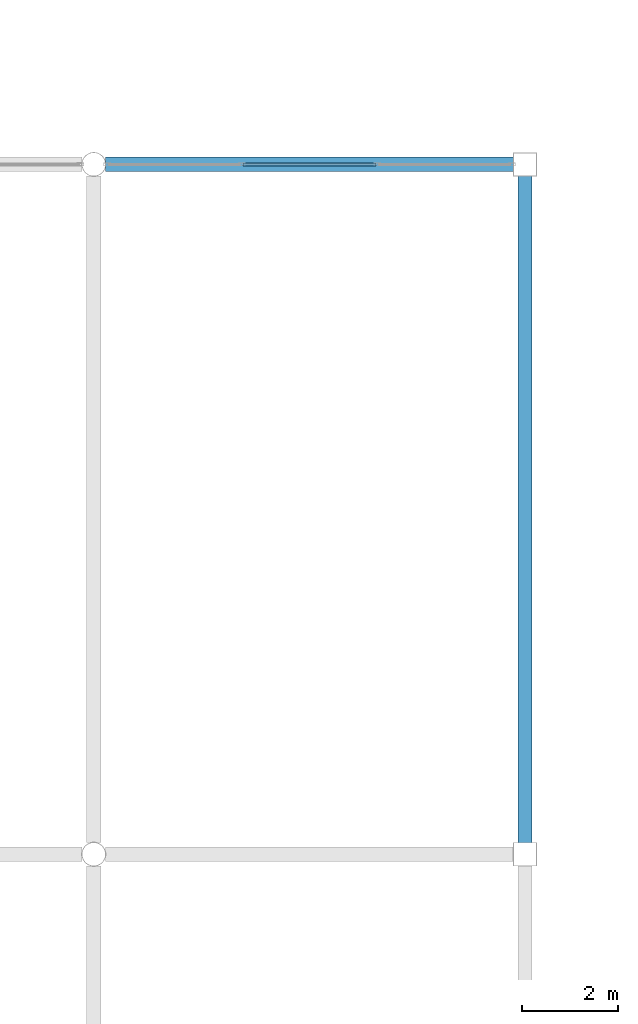
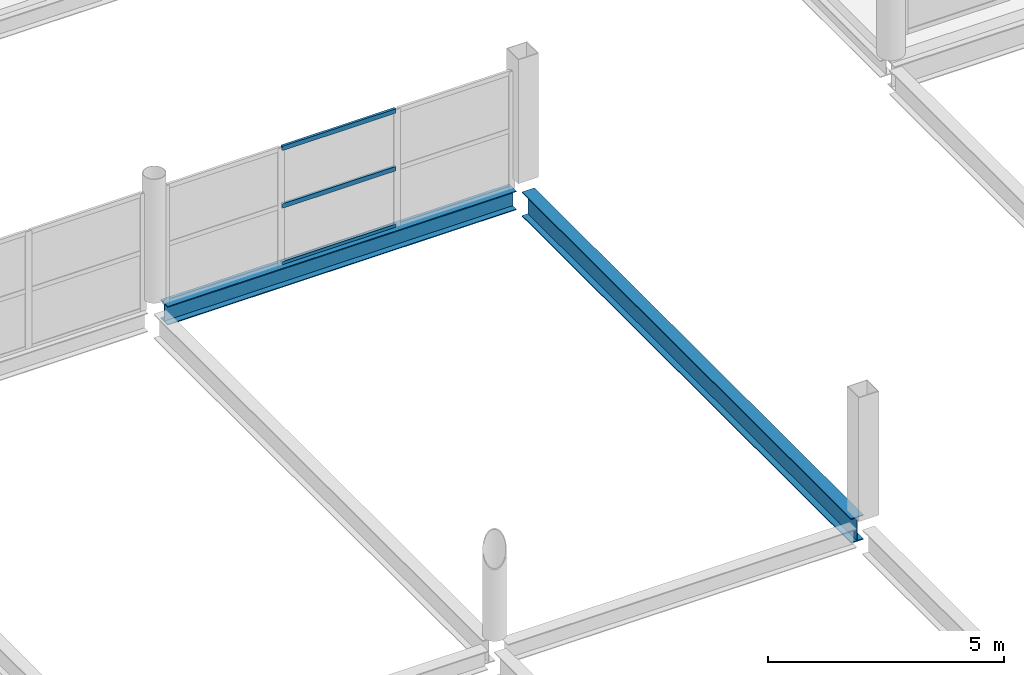
# One storey, part 49 of 134: 3 members, 2 beams, 1 element without a shape of its own.
"""IFC4 building model written with IfcOpenShell, lengths in metres."""

from ifc_helpers import new_model, si_unit, direction, frame, origin, origin_2d, place, context, subcontext, project, spatial, hollow_rectangle, i_section, extrude, material, layer, layer_set, material_profile, profile_set, type_object, element, aggregate, save


model = new_model("IFC4")

# Units and contexts
model_context = context("Model", 3, precision=1e-05, world=origin(), true_north=direction((0.0, 1.0)))
body_context = subcontext(model_context, "Body", "Model", "MODEL_VIEW")
ifc_project = project(units=[si_unit("LENGTHUNIT", "METRE"), si_unit("AREAUNIT", "SQUARE_METRE"), si_unit("VOLUMEUNIT", "CUBIC_METRE"), si_unit("PLANEANGLEUNIT", "RADIAN"), si_unit("MASSUNIT", "GRAM", prefix="KILO")], contexts=[model_context])

# Site, building, storey
site_placement = place(None, origin())
site = spatial("IfcSite", under=ifc_project, at=site_placement, CompositionType="ELEMENT")
building_placement = place(site_placement, origin())
building = spatial("IfcBuilding", under=site, at=building_placement, Name="Tamarisk Ironworks Central Station", CompositionType="ELEMENT")
storey_placement = place(building_placement, frame((0.0, 0.0, 12.60009765625)))
storey = spatial("IfcBuildingStorey", under=building, at=storey_placement, Name="L02", CompositionType="ELEMENT", Elevation=12.60009765625)

# Beams
ifc_material_1 = material(Name="Structural steel S355J2", Category="steel")
ifc_material_profile_1 = material_profile(ifc_material_1, i_section(OverallWidth=0.300048828125, OverallDepth=0.639892578125, WebThickness=0.013427734375, FlangeThickness=0.02587890625, at=origin_2d()), Name="HEA 650")
ifc_profile_set_1 = profile_set([ifc_material_profile_1], Name="Structural steel S355J2")
beam_type_1 = type_object("IfcBeamType", Name="BM-G02", PredefinedType="BEAM", material=ifc_profile_set_1)
beam_1_placement = place(storey_placement, frame((45.0, 65.0380859375, -0.570068359375), z_axis=(0.0, 1.0, 0.0), x_axis=(-1.0, 0.0, 0.0)))
element("IfcBeam", 1, at=beam_1_placement, inside=storey, type_object=beam_type_1, Name="L02 primary girder Y-0452", PredefinedType="BEAM", context=body_context, shape_type="SweptSolid", body=[
    extrude(i_section(OverallWidth=0.300048828125, OverallDepth=0.639892578125, WebThickness=0.013427734375, FlangeThickness=0.02587890625, at=origin_2d()), origin(), (0.0, 0.0, 1.0), 13.923828125),
])
ifc_material_profile_2 = material_profile(ifc_material_1, i_section(OverallWidth=0.300048828125, OverallDepth=0.489990234375, WebThickness=0.011962890625, FlangeThickness=0.02294921875, at=origin_2d()), Name="HEA 500")
ifc_profile_set_2 = profile_set([ifc_material_profile_2], Name="Structural steel S355J2")
beam_type_2 = type_object("IfcBeamType", Name="BM-G05", PredefinedType="BEAM", material=ifc_profile_set_2)
beam_2_placement = place(storey_placement, frame((36.241943359375, 79.199951171875, -0.4951171875), z_axis=(1.0, 0.0, 0.0), x_axis=(0.0, 1.0, 0.0)))
element("IfcBeam", 2, at=beam_2_placement, inside=storey, type_object=beam_type_2, Name="L02 primary girder X-0359", PredefinedType="BEAM", context=body_context, shape_type="SweptSolid", body=[
    extrude(i_section(OverallWidth=0.300048828125, OverallDepth=0.489990234375, WebThickness=0.011962890625, FlangeThickness=0.02294921875, at=origin_2d()), origin(), (0.0, 0.0, 1.0), 8.52001953125),
])

# Curtain wall, members
ifc_material_2 = material(Name="Anodized aluminium alloy 6063-T6", Category="aluminium")
ifc_layer = layer(ifc_material_2, 0.179931640625)
ifc_layer_set = layer_set([ifc_layer], Name="Anodized aluminium alloy 6063-T6")
curtain_wall_type = type_object("IfcCurtainWallType", Name="CW-08", PredefinedType="USERDEFINED", material=ifc_layer_set)
curtain_wall_placement = place(storey_placement, origin())
curtain_wall = element("IfcCurtainWall", 3, at=curtain_wall_placement, inside=storey, type_object=curtain_wall_type, Name="Train shed WN clerestory curtain wall 036", ObjectType="GLAZED CURTAIN WALL", PredefinedType="USERDEFINED")
ifc_material_profile_3 = material_profile(ifc_material_2, hollow_rectangle(XDim=0.06005859375, YDim=0.114990234375, WallThickness=0.00341796875, at=origin_2d()), Name="ALUM 115x60")
ifc_profile_set_3 = profile_set([ifc_material_profile_3], Name="Anodized aluminium alloy 6063-T6")
member_type = type_object("IfcMemberType", Name="CWT-03", PredefinedType="USERDEFINED", material=ifc_profile_set_3)
member_1_placement = place(storey_placement, frame((39.111328125, 79.199951171875, -0.22998046875), z_axis=(1.0, 0.0, 0.0), x_axis=(0.0, 1.0, 0.0)))
member_1 = element("IfcMember", 4, at=member_1_placement, type_object=member_type, Name="CW08 transom 2.1", ObjectType="TRANSOM", PredefinedType="USERDEFINED", context=body_context, shape_type="SweptSolid", body=[
    extrude(hollow_rectangle(XDim=0.06005859375, YDim=0.114990234375, WallThickness=0.00341796875, at=origin_2d()), origin(), (0.0, 0.0, 1.0), 2.78125),
])
member_2_placement = place(storey_placement, frame((39.111328125, 79.199951171875, 1.260009765625), z_axis=(1.0, 0.0, 0.0), x_axis=(0.0, 1.0, 0.0)))
member_2 = element("IfcMember", 5, at=member_2_placement, type_object=member_type, Name="CW08 transom 2.2", ObjectType="TRANSOM", PredefinedType="USERDEFINED", context=body_context, shape_type="SweptSolid", body=[
    extrude(hollow_rectangle(XDim=0.06005859375, YDim=0.114990234375, WallThickness=0.00341796875, at=origin_2d()), origin(), (0.0, 0.0, 1.0), 2.78125),
])
member_3_placement = place(storey_placement, frame((39.111328125, 79.199951171875, 2.75), z_axis=(1.0, 0.0, 0.0), x_axis=(0.0, 1.0, 0.0)))
member_3 = element("IfcMember", 6, at=member_3_placement, type_object=member_type, Name="CW08 transom 2.3", ObjectType="TRANSOM", PredefinedType="USERDEFINED", context=body_context, shape_type="SweptSolid", body=[
    extrude(hollow_rectangle(XDim=0.06005859375, YDim=0.114990234375, WallThickness=0.00341796875, at=origin_2d()), origin(), (0.0, 0.0, 1.0), 2.78125),
])
aggregate(curtain_wall, [member_1, member_2, member_3])

save(model, "model.ifc")
